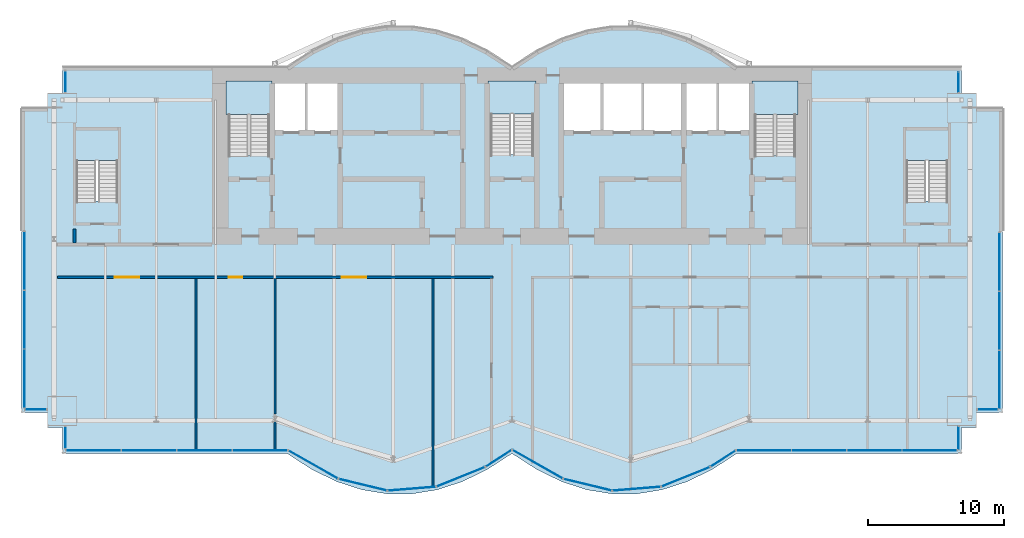
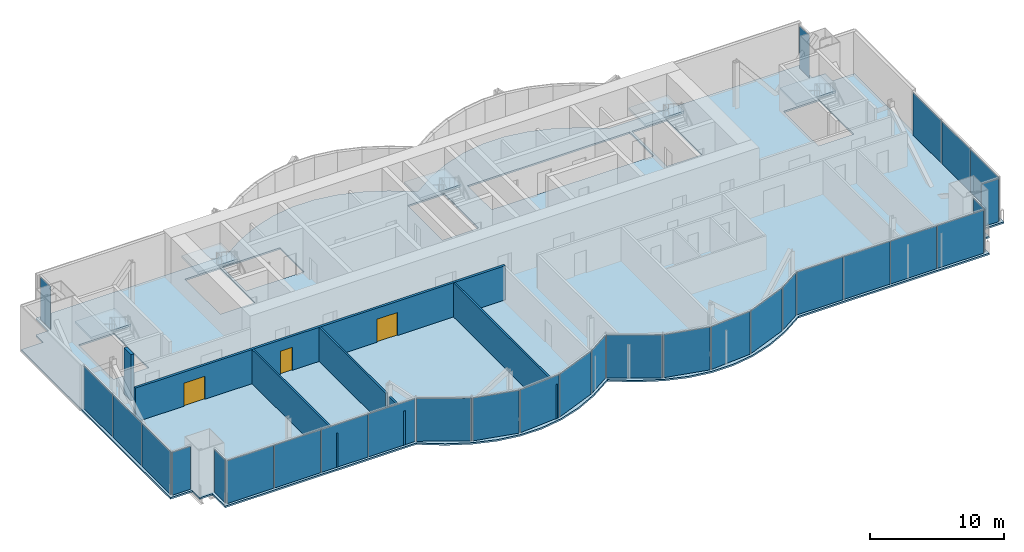
# One storey, part 12 of 19: 30 plates, 6 slabs, 6 walls, 3 doors, 3 openings, 17 elements without a shape of their own.
"""IFC4 building model written with IfcOpenShell, lengths in metres."""

from ifc_helpers import new_model, si_unit, direction, frame, frame_2d, origin, origin_2d, place, context, subcontext, project, spatial, polyline, rectangle, outline, extrude, material, layer, layer_set, type_object, element, fill, aggregate, save


model = new_model("IFC4")

# Units and contexts
model_context = context("Model", 3, precision=1e-05, world=origin(), true_north=direction((0.0, 1.0)))
body_context = subcontext(model_context, "Body", "Model", "MODEL_VIEW")
ifc_project = project(units=[si_unit("LENGTHUNIT", "METRE"), si_unit("AREAUNIT", "SQUARE_METRE"), si_unit("VOLUMEUNIT", "CUBIC_METRE"), si_unit("PLANEANGLEUNIT", "RADIAN"), si_unit("MASSUNIT", "GRAM", prefix="KILO")], contexts=[model_context])

# Site, building, storey
site_placement = place(None, origin())
site = spatial("IfcSite", under=ifc_project, at=site_placement, CompositionType="ELEMENT")
building_placement = place(site_placement, origin())
building = spatial("IfcBuilding", under=site, at=building_placement, Name="Bicima Exchange Tower", CompositionType="ELEMENT")
storey_placement = place(building_placement, frame((0.0, 0.0, 275.0)))
storey = spatial("IfcBuildingStorey", under=building, at=storey_placement, Name="L62", CompositionType="ELEMENT", Elevation=275.0)

# Slab
ifc_material_1 = material(Name="Concrete C40/50", Category="concrete")
ifc_layer_1 = layer(ifc_material_1, 0.14990234375)
ifc_layer_set_1 = layer_set([ifc_layer_1], Name="Concrete C40/50")
slab_type_1 = type_object("IfcSlabType", Name="Composite floor slab 150", PredefinedType="FLOOR", material=ifc_layer_set_1)
slab_1_placement = place(storey_placement, frame((0.0, 0.0, -0.14990234375)))
element("IfcSlab", 1, at=slab_1_placement, inside=storey, type_object=slab_type_1, Name="Floor slab", PredefinedType="FLOOR", context=body_context, shape_type="SweptSolid", body=[
    extrude(outline(polyline([(-36.0, -25.3359375), (-36.0, -3.0), (-34.10009765625, -3.0), (-34.10009765625, -1.89990234375), (-33.0, -1.89990234375), (-33.0, 0.0), (-16.5, 0.0), (-14.666748046875, 1.185302734375), (-12.833251953125, 2.07421875), (-11.0, 2.666748046875), (-9.166748046875, 2.962890625), (-7.333251953125, 2.962890625), (-5.5, 2.666748046875), (-3.666748046875, 2.07421875), (-1.833251953125, 1.185302734375), (0.0, 0.0), (1.833251953125, 1.185302734375), (3.666748046875, 2.07421875), (5.5, 2.666748046875), (7.333251953125, 2.962890625), (9.166748046875, 2.962890625), (11.0, 2.666748046875), (12.833251953125, 2.07421875), (14.666748046875, 1.185302734375), (16.5, 0.0), (33.0, 0.0), (33.0, -1.89990234375), (34.10009765625, -1.89990234375), (34.10009765625, -3.0), (36.0, -3.0), (36.0, -25.3359375), (34.10009765625, -25.3359375), (34.10009765625, -26.43603515625), (33.0, -26.43603515625), (33.0, -28.3359375), (16.5, -28.3359375), (14.666748046875, -29.521240234375), (12.833251953125, -30.41015625), (11.0, -31.002685546875), (9.166748046875, -31.299072265625), (7.333251953125, -31.299072265625), (5.5, -31.002685546875), (3.666748046875, -30.41015625), (1.833251953125, -29.521240234375), (0.0, -28.3359375), (-1.833251953125, -29.521240234375), (-3.666748046875, -30.41015625), (-5.5, -31.002685546875), (-7.333251953125, -31.299072265625), (-9.166748046875, -31.299072265625), (-11.0, -31.002685546875), (-12.833251953125, -30.41015625), (-14.666748046875, -29.521240234375), (-16.5, -28.3359375), (-33.0, -28.3359375), (-33.0, -26.43603515625), (-34.10009765625, -26.43603515625), (-34.10009765625, -25.3359375), (-36.0, -25.3359375)]), holes=[polyline([(-28.925048828125, -9.824951171875), (-28.925048828125, -4.625), (-31.97509765625, -4.625), (-31.97509765625, -9.824951171875), (-28.925048828125, -9.824951171875)]), polyline([(-20.800048828125, -6.449951171875), (-17.800048828125, -6.449951171875), (-17.800048828125, -1.199951171875), (-20.800048828125, -1.199951171875), (-20.800048828125, -6.449951171875)]), polyline([(-1.574951171875, -6.39990234375), (1.574951171875, -6.39990234375), (1.574951171875, -1.199951171875), (-1.574951171875, -1.199951171875), (-1.574951171875, -6.39990234375)]), polyline([(-12.60009765625, -1.199951171875), (-15.10009765625, -1.199951171875), (-17.60009765625, -1.199951171875), (-17.60009765625, -4.800048828125), (-15.10009765625, -4.800048828125), (-12.60009765625, -4.800048828125), (-12.60009765625, -1.199951171875)]), polyline([(3.60009765625, -4.800048828125), (6.60009765625, -4.800048828125), (9.60009765625, -4.800048828125), (12.60009765625, -4.800048828125), (15.10009765625, -4.800048828125), (17.60009765625, -4.800048828125), (17.60009765625, -1.199951171875), (15.10009765625, -1.199951171875), (12.60009765625, -1.199951171875), (9.60009765625, -1.199951171875), (6.60009765625, -1.199951171875), (3.60009765625, -1.199951171875), (3.60009765625, -4.800048828125)]), polyline([(31.97509765625, -9.824951171875), (31.97509765625, -4.625), (28.925048828125, -4.625), (28.925048828125, -9.824951171875), (31.97509765625, -9.824951171875)]), polyline([(17.800048828125, -6.449951171875), (20.800048828125, -6.449951171875), (20.800048828125, -1.199951171875), (17.800048828125, -1.199951171875), (17.800048828125, -6.449951171875)])]), origin(), (0.0, 0.0, 1.0), 0.14990234375),
])

# Curtain wall, plates
ifc_material_2 = material(Name="Anodised bronze aluminium", Category="aluminium")
curtain_wall_type_1 = type_object("IfcCurtainWallType", Name="End face glass wall", PredefinedType="NOTDEFINED", material=ifc_material_2)
curtain_wall_1_placement = place(storey_placement, origin())
curtain_wall_1 = element("IfcCurtainWall", 2, at=curtain_wall_1_placement, inside=storey, type_object=curtain_wall_type_1, Name="End face glass wall L62 run 2", PredefinedType="NOTDEFINED")
ifc_material_3 = material(Name="Bronze tinted glass", Category="glass")
ifc_layer_2 = layer(ifc_material_3, 0.031982421875)
ifc_layer_set_2 = layer_set([ifc_layer_2], Name="Bronze tinted glass")
plate_type_1 = type_object("IfcPlateType", Name="End face glass wall glass panel 32", PredefinedType="CURTAIN_PANEL", material=ifc_layer_set_2)
plate_1_placement = place(storey_placement, frame((-35.77001953125, -14.19091796875, 0.0), z_axis=(0.0, 0.0, 1.0), x_axis=(0.0, -1.0, 0.0)))
plate_1 = element("IfcPlate", 3, at=plate_1_placement, type_object=plate_type_1, Name="End face glass wall panel 1.1", PredefinedType="CURTAIN_PANEL", context=body_context, shape_type="SweptSolid", body=[
    extrude(rectangle(XDim=4.261962890625, YDim=0.031982421875, at=origin_2d()), origin(), (0.0, 0.0, 1.0), 3.909912109375),
])
plate_2_placement = place(storey_placement, frame((-35.77001953125, -22.8349609375, 0.0), z_axis=(0.0, 0.0, 1.0), x_axis=(0.0, -1.0, 0.0)))
plate_2 = element("IfcPlate", 4, at=plate_2_placement, type_object=plate_type_1, Name="End face glass wall panel 3.1", PredefinedType="CURTAIN_PANEL", context=body_context, shape_type="SweptSolid", body=[
    extrude(rectangle(XDim=4.261962890625, YDim=0.031982421875, at=origin_2d()), origin(), (0.0, 0.0, 1.0), 3.909912109375),
])

curtain_wall_2_placement = place(storey_placement, origin())
curtain_wall_2 = element("IfcCurtainWall", 5, at=curtain_wall_2_placement, inside=storey, type_object=curtain_wall_type_1, Name="End face glass wall L62 run 19", PredefinedType="NOTDEFINED")
plate_3_placement = place(storey_placement, frame((35.77001953125, -22.9150390625, 0.0), z_axis=(0.0, 0.0, 1.0), x_axis=(0.0, 1.0, 0.0)))
plate_3 = element("IfcPlate", 6, at=plate_3_placement, type_object=plate_type_1, Name="End face glass wall panel 1.1", PredefinedType="CURTAIN_PANEL", context=body_context, shape_type="SweptSolid", body=[
    extrude(rectangle(XDim=4.261962890625, YDim=0.031982421875, at=origin_2d()), origin(), (0.0, 0.0, 1.0), 3.909912109375),
])
plate_4_placement = place(storey_placement, frame((35.77001953125, -14.27099609375, 0.0), z_axis=(0.0, 0.0, 1.0), x_axis=(0.0, 1.0, 0.0)))
plate_4 = element("IfcPlate", 7, at=plate_4_placement, type_object=plate_type_1, Name="End face glass wall panel 3.1", PredefinedType="CURTAIN_PANEL", context=body_context, shape_type="SweptSolid", body=[
    extrude(rectangle(XDim=4.261962890625, YDim=0.031982421875, at=origin_2d()), origin(), (0.0, 0.0, 1.0), 3.909912109375),
])

# Plate
ifc_material_4 = material(Name="Bronze anodised aluminium", Category="aluminium")
ifc_layer_3 = layer(ifc_material_4, 0.031982421875)
ifc_layer_set_3 = layer_set([ifc_layer_3], Name="Bronze anodised aluminium")
plate_type_2 = type_object("IfcPlateType", Name="End face glass wall spandrel panel 32", PredefinedType="CURTAIN_PANEL", material=ifc_layer_set_3)
plate_5_placement = place(storey_placement, frame((-35.77001953125, -18.512939453125, 0.0), z_axis=(0.0, 0.0, 1.0), x_axis=(0.0, -1.0, 0.0)))
plate_5 = element("IfcPlate", 8, at=plate_5_placement, type_object=plate_type_2, Name="End face spandrel wall panel 2.1", PredefinedType="CURTAIN_PANEL", context=body_context, shape_type="SweptSolid", body=[
    extrude(rectangle(XDim=4.261962890625, YDim=0.031982421875, at=origin_2d()), origin(), (0.0, 0.0, 1.0), 3.909912109375),
])

aggregate(curtain_wall_1, [plate_1, plate_5, plate_2])

plate_6_placement = place(storey_placement, frame((35.77001953125, -18.593017578125, 0.0), z_axis=(0.0, 0.0, 1.0), x_axis=(0.0, 1.0, 0.0)))
plate_6 = element("IfcPlate", 9, at=plate_6_placement, type_object=plate_type_2, Name="End face spandrel wall panel 2.1", PredefinedType="CURTAIN_PANEL", context=body_context, shape_type="SweptSolid", body=[
    extrude(rectangle(XDim=4.261962890625, YDim=0.031982421875, at=origin_2d()), origin(), (0.0, 0.0, 1.0), 3.909912109375),
])

aggregate(curtain_wall_2, [plate_3, plate_6, plate_4])

# Curtain wall, plate
curtain_wall_type_2 = type_object("IfcCurtainWallType", Name="Front glass wall", PredefinedType="NOTDEFINED", material=ifc_material_2)
curtain_wall_3_placement = place(storey_placement, origin())
curtain_wall_3 = element("IfcCurtainWall", 10, at=curtain_wall_3_placement, inside=storey, type_object=curtain_wall_type_2, Name="Front glass wall L62 run 1", PredefinedType="NOTDEFINED")
ifc_layer_4 = layer(ifc_material_3, 0.031982421875)
ifc_layer_set_4 = layer_set([ifc_layer_4], Name="Bronze tinted glass")
plate_type_3 = type_object("IfcPlateType", Name="Front glass wall glass panel 32", PredefinedType="CURTAIN_PANEL", material=ifc_layer_set_4)
plate_7_placement = place(storey_placement, frame((-32.77001953125, -1.06494140625, 0.0), z_axis=(0.0, 0.0, 1.0), x_axis=(0.0, -1.0, 0.0)))
plate_7 = element("IfcPlate", 11, at=plate_7_placement, type_object=plate_type_3, Name="Front glass wall panel 1.1", PredefinedType="CURTAIN_PANEL", context=body_context, shape_type="SweptSolid", body=[
    extrude(rectangle(XDim=1.550048828125, YDim=0.031982421875, at=origin_2d()), origin(), (0.0, 0.0, 1.0), 3.909912109375),
])
aggregate(curtain_wall_3, [plate_7])

curtain_wall_4_placement = place(storey_placement, origin())
curtain_wall_4 = element("IfcCurtainWall", 12, at=curtain_wall_4_placement, inside=storey, type_object=curtain_wall_type_2, Name="Front glass wall L62 run 3", PredefinedType="NOTDEFINED")
plate_8_placement = place(storey_placement, frame((-34.93505859375, -25.10595703125, 0.0), z_axis=(0.0, 0.0, 1.0), x_axis=(1.0, 0.0, 0.0)))
plate_8 = element("IfcPlate", 13, at=plate_8_placement, type_object=plate_type_3, Name="Front glass wall panel 1.1", PredefinedType="CURTAIN_PANEL", context=body_context, shape_type="SweptSolid", body=[
    extrude(rectangle(XDim=1.550048828125, YDim=0.031982421875, at=origin_2d()), origin(), (0.0, 0.0, 1.0), 3.909912109375),
])
aggregate(curtain_wall_4, [plate_8])

curtain_wall_5_placement = place(storey_placement, origin())
curtain_wall_5 = element("IfcCurtainWall", 14, at=curtain_wall_5_placement, inside=storey, type_object=curtain_wall_type_2, Name="Front glass wall L62 run 4", PredefinedType="NOTDEFINED")
plate_9_placement = place(storey_placement, frame((-32.77001953125, -27.169921875, 0.0), z_axis=(0.0, 0.0, 1.0), x_axis=(0.0, -1.0, 0.0)))
plate_9 = element("IfcPlate", 15, at=plate_9_placement, type_object=plate_type_3, Name="Front glass wall panel 1.1", PredefinedType="CURTAIN_PANEL", context=body_context, shape_type="SweptSolid", body=[
    extrude(rectangle(XDim=1.592041015625, YDim=0.031982421875, at=origin_2d()), origin(), (0.0, 0.0, 1.0), 3.909912109375),
])
aggregate(curtain_wall_5, [plate_9])

# Curtain wall, plates
curtain_wall_6_placement = place(storey_placement, origin())
curtain_wall_6 = element("IfcCurtainWall", 16, at=curtain_wall_6_placement, inside=storey, type_object=curtain_wall_type_2, Name="Front glass wall L62 run 5", PredefinedType="NOTDEFINED")
plate_10_placement = place(storey_placement, frame((-30.705322265625, -28.10595703125, 0.0), z_axis=(0.0, 0.0, 1.0), x_axis=(1.0, 0.0, 0.0)))
plate_10 = element("IfcPlate", 17, at=plate_10_placement, type_object=plate_type_3, Name="Front glass wall panel 1.1", PredefinedType="CURTAIN_PANEL", context=body_context, shape_type="SweptSolid", body=[
    extrude(rectangle(XDim=4.009521484375, YDim=0.031982421875, at=origin_2d()), origin(), (0.0, 0.0, 1.0), 3.909912109375),
])
plate_11_placement = place(storey_placement, frame((-18.496826171875, -28.10595703125, 0.0), z_axis=(0.0, 0.0, 1.0), x_axis=(1.0, 0.0, 0.0)))
plate_11 = element("IfcPlate", 18, at=plate_11_placement, type_object=plate_type_3, Name="Front glass wall panel 4.1", PredefinedType="CURTAIN_PANEL", context=body_context, shape_type="SweptSolid", body=[
    extrude(rectangle(XDim=4.009521484375, YDim=0.031982421875, at=origin_2d()), origin(), (0.0, 0.0, 1.0), 3.909912109375),
])

curtain_wall_7_placement = place(storey_placement, origin())
curtain_wall_7 = element("IfcCurtainWall", 19, at=curtain_wall_7_placement, inside=storey, type_object=curtain_wall_type_2, Name="Front glass wall L62 run 6", PredefinedType="NOTDEFINED")
plate_12_placement = place(storey_placement, frame((-14.589599609375, -29.151123046875, 0.0), z_axis=(0.0, 0.0, 1.0), x_axis=(0.869805110681, -0.493395449343, 0.0)))
plate_12 = element("IfcPlate", 20, at=plate_12_placement, type_object=plate_type_3, Name="Front glass wall panel 1.1", PredefinedType="CURTAIN_PANEL", context=body_context, shape_type="SweptSolid", body=[
    extrude(rectangle(XDim=4.1162109375, YDim=0.031982421875, at=origin_2d()), origin(), (0.0, 0.0, 1.0), 3.909912109375),
])
plate_13_placement = place(storey_placement, frame((-3.750244140625, -30.04931640625, 0.0), z_axis=(0.0, 0.0, 1.0), x_axis=(0.92714396679, 0.374705304, 0.0)))
plate_13 = element("IfcPlate", 21, at=plate_13_placement, type_object=plate_type_3, Name="Front glass wall panel 1.1", PredefinedType="CURTAIN_PANEL", context=body_context, shape_type="SweptSolid", body=[
    extrude(rectangle(XDim=3.771240234375, YDim=0.031982421875, at=origin_2d()), origin(), (0.0, 0.0, 1.0), 3.909912109375),
])
plate_14_placement = place(storey_placement, frame((-0.97314453125, -28.691162109375, 0.0), z_axis=(0.0, 0.0, 1.0), x_axis=(0.839798994301, 0.542897457326, 0.0)))
plate_14 = element("IfcPlate", 22, at=plate_14_placement, type_object=plate_type_3, Name="Front glass wall panel 1.1", PredefinedType="CURTAIN_PANEL", context=body_context, shape_type="SweptSolid", body=[
    extrude(rectangle(XDim=2.197509765625, YDim=0.031982421875, at=origin_2d()), origin(), (0.0, 0.0, 1.0), 3.909912109375),
])

curtain_wall_8_placement = place(storey_placement, origin())
curtain_wall_8 = element("IfcCurtainWall", 23, at=curtain_wall_8_placement, inside=storey, type_object=curtain_wall_type_2, Name="Front glass wall L62 run 11", PredefinedType="NOTDEFINED")
plate_15_placement = place(storey_placement, frame((1.876220703125, -29.129150390625, 0.0), z_axis=(0.0, 0.0, 1.0), x_axis=(0.869274147378, -0.494330311331, 0.0)))
plate_15 = element("IfcPlate", 24, at=plate_15_placement, type_object=plate_type_3, Name="Front glass wall panel 1.1", PredefinedType="CURTAIN_PANEL", context=body_context, shape_type="SweptSolid", body=[
    extrude(rectangle(XDim=4.197021484375, YDim=0.031982421875, at=origin_2d()), origin(), (0.0, 0.0, 1.0), 3.909912109375),
])
plate_16_placement = place(storey_placement, frame((5.55224609375, -30.632568359375, 0.0), z_axis=(0.0, 0.0, 1.0), x_axis=(0.971830343553, -0.235681529503, 0.0)))
plate_16 = element("IfcPlate", 25, at=plate_16_placement, type_object=plate_type_3, Name="Front glass wall panel 1.1", PredefinedType="CURTAIN_PANEL", context=body_context, shape_type="SweptSolid", body=[
    extrude(rectangle(XDim=3.583251953125, YDim=0.031982421875, at=origin_2d()), origin(), (0.0, 0.0, 1.0), 3.909912109375),
])
plate_17_placement = place(storey_placement, frame((12.749755859375, -30.04931640625, 0.0), z_axis=(0.0, 0.0, 1.0), x_axis=(0.92714396679, 0.374705304, 0.0)))
plate_17 = element("IfcPlate", 26, at=plate_17_placement, type_object=plate_type_3, Name="Front glass wall panel 1.1", PredefinedType="CURTAIN_PANEL", context=body_context, shape_type="SweptSolid", body=[
    extrude(rectangle(XDim=3.771240234375, YDim=0.031982421875, at=origin_2d()), origin(), (0.0, 0.0, 1.0), 3.909912109375),
])
plate_18_placement = place(storey_placement, frame((15.492919921875, -28.713134765625, 0.0), z_axis=(0.0, 0.0, 1.0), x_axis=(0.839791413941, 0.542909183079, 0.0)))
plate_18 = element("IfcPlate", 27, at=plate_18_placement, type_object=plate_type_3, Name="Front glass wall panel 1.1", PredefinedType="CURTAIN_PANEL", context=body_context, shape_type="SweptSolid", body=[
    extrude(rectangle(XDim=2.11669921875, YDim=0.031982421875, at=origin_2d()), origin(), (0.0, 0.0, 1.0), 3.909912109375),
])

curtain_wall_9_placement = place(storey_placement, origin())
curtain_wall_9 = element("IfcCurtainWall", 28, at=curtain_wall_9_placement, inside=storey, type_object=curtain_wall_type_2, Name="Front glass wall L62 run 16", PredefinedType="NOTDEFINED")
plate_19_placement = place(storey_placement, frame((18.48681640625, -28.10595703125, 0.0), z_axis=(0.0, 0.0, 1.0), x_axis=(1.0, 0.0, 0.0)))
plate_19 = element("IfcPlate", 29, at=plate_19_placement, type_object=plate_type_3, Name="Front glass wall panel 1.1", PredefinedType="CURTAIN_PANEL", context=body_context, shape_type="SweptSolid", body=[
    extrude(rectangle(XDim=3.989501953125, YDim=0.031982421875, at=origin_2d()), origin(), (0.0, 0.0, 1.0), 3.909912109375),
])
plate_20_placement = place(storey_placement, frame((30.63525390625, -28.10595703125, 0.0), z_axis=(0.0, 0.0, 1.0), x_axis=(1.0, 0.0, 0.0)))
plate_20 = element("IfcPlate", 30, at=plate_20_placement, type_object=plate_type_3, Name="Front glass wall panel 4.1", PredefinedType="CURTAIN_PANEL", context=body_context, shape_type="SweptSolid", body=[
    extrude(rectangle(XDim=3.989501953125, YDim=0.031982421875, at=origin_2d()), origin(), (0.0, 0.0, 1.0), 3.909912109375),
])

# Curtain wall, plate
curtain_wall_10_placement = place(storey_placement, origin())
curtain_wall_10 = element("IfcCurtainWall", 31, at=curtain_wall_10_placement, inside=storey, type_object=curtain_wall_type_2, Name="Front glass wall L62 run 17", PredefinedType="NOTDEFINED")
plate_21_placement = place(storey_placement, frame((32.77001953125, -27.2099609375, 0.0), z_axis=(0.0, 0.0, 1.0), x_axis=(0.0, 1.0, 0.0)))
plate_21 = element("IfcPlate", 32, at=plate_21_placement, type_object=plate_type_3, Name="Front glass wall panel 1.1", PredefinedType="CURTAIN_PANEL", context=body_context, shape_type="SweptSolid", body=[
    extrude(rectangle(XDim=1.672119140625, YDim=0.031982421875, at=origin_2d()), origin(), (0.0, 0.0, 1.0), 3.909912109375),
])
aggregate(curtain_wall_10, [plate_21])

curtain_wall_11_placement = place(storey_placement, origin())
curtain_wall_11 = element("IfcCurtainWall", 33, at=curtain_wall_11_placement, inside=storey, type_object=curtain_wall_type_2, Name="Front glass wall L62 run 18", PredefinedType="NOTDEFINED")
plate_22_placement = place(storey_placement, frame((34.89501953125, -25.10595703125, 0.0), z_axis=(0.0, 0.0, 1.0), x_axis=(1.0, 0.0, 0.0)))
plate_22 = element("IfcPlate", 34, at=plate_22_placement, type_object=plate_type_3, Name="Front glass wall panel 1.1", PredefinedType="CURTAIN_PANEL", context=body_context, shape_type="SweptSolid", body=[
    extrude(rectangle(XDim=1.469970703125, YDim=0.031982421875, at=origin_2d()), origin(), (0.0, 0.0, 1.0), 3.909912109375),
])
aggregate(curtain_wall_11, [plate_22])

curtain_wall_12_placement = place(storey_placement, origin())
curtain_wall_12 = element("IfcCurtainWall", 35, at=curtain_wall_12_placement, inside=storey, type_object=curtain_wall_type_2, Name="Front glass wall L62 run 20", PredefinedType="NOTDEFINED")
plate_23_placement = place(storey_placement, frame((32.77001953125, -1.10498046875, 0.0), z_axis=(0.0, 0.0, 1.0), x_axis=(0.0, 1.0, 0.0)))
plate_23 = element("IfcPlate", 36, at=plate_23_placement, type_object=plate_type_3, Name="Front glass wall panel 1.1", PredefinedType="CURTAIN_PANEL", context=body_context, shape_type="SweptSolid", body=[
    extrude(rectangle(XDim=1.469970703125, YDim=0.031982421875, at=origin_2d()), origin(), (0.0, 0.0, 1.0), 3.909912109375),
])
aggregate(curtain_wall_12, [plate_23])

# Plate
ifc_layer_5 = layer(ifc_material_4, 0.031982421875)
ifc_layer_set_5 = layer_set([ifc_layer_5], Name="Bronze anodised aluminium")
plate_type_4 = type_object("IfcPlateType", Name="Front glass wall spandrel panel 32", PredefinedType="CURTAIN_PANEL", material=ifc_layer_set_5)
plate_24_placement = place(storey_placement, frame((-26.6357421875, -28.10595703125, 0.0), z_axis=(0.0, 0.0, 1.0), x_axis=(1.0, 0.0, 0.0)))
plate_24 = element("IfcPlate", 37, at=plate_24_placement, type_object=plate_type_4, Name="Front spandrel wall panel 2.1", PredefinedType="CURTAIN_PANEL", context=body_context, shape_type="SweptSolid", body=[
    extrude(rectangle(XDim=4.009521484375, YDim=0.031982421875, at=origin_2d()), origin(), (0.0, 0.0, 1.0), 3.909912109375),
])

plate_25_placement = place(storey_placement, frame((-22.56640625, -28.10595703125, 0.0), z_axis=(0.0, 0.0, 1.0), x_axis=(1.0, 0.0, 0.0)))
plate_25 = element("IfcPlate", 38, at=plate_25_placement, type_object=plate_type_4, Name="Front spandrel wall panel 3.1", PredefinedType="CURTAIN_PANEL", context=body_context, shape_type="SweptSolid", body=[
    extrude(rectangle(XDim=4.009521484375, YDim=0.031982421875, at=origin_2d()), origin(), (0.0, 0.0, 1.0), 3.909912109375),
])

aggregate(curtain_wall_6, [plate_10, plate_24, plate_25, plate_11])

plate_26_placement = place(storey_placement, frame((-10.94775390625, -30.632568359375, 0.0), z_axis=(0.0, 0.0, 1.0), x_axis=(0.971830343553, -0.235681529503, 0.0)))
plate_26 = element("IfcPlate", 39, at=plate_26_placement, type_object=plate_type_4, Name="Front spandrel wall panel 1.1", PredefinedType="CURTAIN_PANEL", context=body_context, shape_type="SweptSolid", body=[
    extrude(rectangle(XDim=3.583251953125, YDim=0.031982421875, at=origin_2d()), origin(), (0.0, 0.0, 1.0), 3.909912109375),
])

plate_27_placement = place(storey_placement, frame((-7.35107421875, -30.923583984375, 0.0), z_axis=(0.0, 0.0, 1.0), x_axis=(0.99674744821, 0.080588612633, 0.0)))
plate_27 = element("IfcPlate", 40, at=plate_27_placement, type_object=plate_type_4, Name="Front spandrel wall panel 1.1", PredefinedType="CURTAIN_PANEL", context=body_context, shape_type="SweptSolid", body=[
    extrude(rectangle(XDim=3.486083984375, YDim=0.031982421875, at=origin_2d()), origin(), (0.0, 0.0, 1.0), 3.909912109375),
])

aggregate(curtain_wall_7, [plate_12, plate_26, plate_27, plate_13, plate_14])

plate_28_placement = place(storey_placement, frame((9.14892578125, -30.923583984375, 0.0), z_axis=(0.0, 0.0, 1.0), x_axis=(0.99674744821, 0.080588612633, 0.0)))
plate_28 = element("IfcPlate", 41, at=plate_28_placement, type_object=plate_type_4, Name="Front spandrel wall panel 1.1", PredefinedType="CURTAIN_PANEL", context=body_context, shape_type="SweptSolid", body=[
    extrude(rectangle(XDim=3.486083984375, YDim=0.031982421875, at=origin_2d()), origin(), (0.0, 0.0, 1.0), 3.909912109375),
])

aggregate(curtain_wall_8, [plate_15, plate_16, plate_28, plate_17, plate_18])

plate_29_placement = place(storey_placement, frame((22.536376953125, -28.10595703125, 0.0), z_axis=(0.0, 0.0, 1.0), x_axis=(1.0, 0.0, 0.0)))
plate_29 = element("IfcPlate", 42, at=plate_29_placement, type_object=plate_type_4, Name="Front spandrel wall panel 2.1", PredefinedType="CURTAIN_PANEL", context=body_context, shape_type="SweptSolid", body=[
    extrude(rectangle(XDim=3.989501953125, YDim=0.031982421875, at=origin_2d()), origin(), (0.0, 0.0, 1.0), 3.909912109375),
])

plate_30_placement = place(storey_placement, frame((26.585693359375, -28.10595703125, 0.0), z_axis=(0.0, 0.0, 1.0), x_axis=(1.0, 0.0, 0.0)))
plate_30 = element("IfcPlate", 43, at=plate_30_placement, type_object=plate_type_4, Name="Front spandrel wall panel 3.1", PredefinedType="CURTAIN_PANEL", context=body_context, shape_type="SweptSolid", body=[
    extrude(rectangle(XDim=3.989501953125, YDim=0.031982421875, at=origin_2d()), origin(), (0.0, 0.0, 1.0), 3.909912109375),
])

aggregate(curtain_wall_9, [plate_19, plate_29, plate_30, plate_20])

# Stair, slab
ifc_material_5 = material(Name="Concrete C50/60", Category="concrete")
stair_type_1 = type_object("IfcStairType", Name="Exit stair", PredefinedType="HALF_TURN_STAIR", material=ifc_material_5)
stair_1_placement = place(storey_placement, origin())
stair_1 = element("IfcStair", 44, at=stair_1_placement, inside=storey, type_object=stair_type_1, Name="L62 West exit stair", PredefinedType="HALF_TURN_STAIR")
ifc_layer_6 = layer(ifc_material_5, 0.199951171875)
ifc_layer_set_6 = layer_set([ifc_layer_6], Name="Concrete C50/60")
slab_type_2 = type_object("IfcSlabType", Name="Stair landing slab", PredefinedType="LANDING", material=ifc_layer_set_6)
slab_2_placement = place(storey_placement, frame((0.0, 0.0, 1.89990234375)))
slab_2 = element("IfcSlab", 45, at=slab_2_placement, type_object=slab_type_2, Name="ST-W landing 1", PredefinedType="LANDING", context=body_context, shape_type="SweptSolid", body=[
    extrude(outline(polyline([(-17.60009765625, -3.469970703125), (-17.60009765625, -1.0), (-21.0, -1.0), (-21.0, -3.469970703125), (-17.60009765625, -3.469970703125)])), origin(), (0.0, 0.0, 1.0), 0.2001953125),
])
aggregate(stair_1, [slab_2])

stair_type_2 = type_object("IfcStairType", Name="Exit stair 1500", PredefinedType="HALF_TURN_STAIR", material=ifc_material_5)
stair_2_placement = place(storey_placement, origin())
stair_2 = element("IfcStair", 46, at=stair_2_placement, inside=storey, type_object=stair_type_2, Name="L62 Central exit stair", PredefinedType="HALF_TURN_STAIR")
slab_3_placement = place(storey_placement, frame((0.0, 0.0, 1.89990234375)))
slab_3 = element("IfcSlab", 47, at=slab_3_placement, type_object=slab_type_2, Name="ST-C landing 1", PredefinedType="LANDING", context=body_context, shape_type="SweptSolid", body=[
    extrude(outline(polyline([(1.77490234375, -3.419921875), (1.77490234375, -1.0), (-1.77490234375, -1.0), (-1.77490234375, -3.419921875), (1.77490234375, -3.419921875)])), origin(), (0.0, 0.0, 1.0), 0.2001953125),
])
aggregate(stair_2, [slab_3])

stair_3_placement = place(storey_placement, origin())
stair_3 = element("IfcStair", 48, at=stair_3_placement, inside=storey, type_object=stair_type_1, Name="L62 East exit stair", PredefinedType="HALF_TURN_STAIR")
slab_4_placement = place(storey_placement, frame((0.0, 0.0, 1.89990234375)))
slab_4 = element("IfcSlab", 49, at=slab_4_placement, type_object=slab_type_2, Name="ST-E landing 1", PredefinedType="LANDING", context=body_context, shape_type="SweptSolid", body=[
    extrude(outline(polyline([(21.0, -3.469970703125), (21.0, -1.0), (17.60009765625, -1.0), (17.60009765625, -3.469970703125), (21.0, -3.469970703125)])), origin(), (0.0, 0.0, 1.0), 0.2001953125),
])
aggregate(stair_3, [slab_4])

stair_4_placement = place(storey_placement, origin())
stair_4 = element("IfcStair", 50, at=stair_4_placement, inside=storey, type_object=stair_type_1, Name="L62 West end exit stair", PredefinedType="HALF_TURN_STAIR")
slab_5_placement = place(storey_placement, frame((0.0, 0.0, 1.89990234375)))
slab_5 = element("IfcSlab", 51, at=slab_5_placement, type_object=slab_type_2, Name="ST-WW landing 1", PredefinedType="LANDING", context=body_context, shape_type="SweptSolid", body=[
    extrude(outline(polyline([(-28.72509765625, -6.844970703125), (-28.72509765625, -4.425048828125), (-32.175048828125, -4.425048828125), (-32.175048828125, -6.844970703125), (-28.72509765625, -6.844970703125)])), origin(), (0.0, 0.0, 1.0), 0.2001953125),
])
aggregate(stair_4, [slab_5])

stair_5_placement = place(storey_placement, origin())
stair_5 = element("IfcStair", 52, at=stair_5_placement, inside=storey, type_object=stair_type_1, Name="L62 East end exit stair", PredefinedType="HALF_TURN_STAIR")
slab_6_placement = place(storey_placement, frame((0.0, 0.0, 1.89990234375)))
slab_6 = element("IfcSlab", 53, at=slab_6_placement, type_object=slab_type_2, Name="ST-EE landing 1", PredefinedType="LANDING", context=body_context, shape_type="SweptSolid", body=[
    extrude(outline(polyline([(32.175048828125, -6.844970703125), (32.175048828125, -4.425048828125), (28.72509765625, -4.425048828125), (28.72509765625, -6.844970703125), (32.175048828125, -6.844970703125)])), origin(), (0.0, 0.0, 1.0), 0.2001953125),
])
aggregate(stair_5, [slab_6])

# Wall, openings, doors
ifc_material_6 = material(Name="Gypsum board partition")
ifc_layer_7 = layer(ifc_material_6, 0.199951171875)
ifc_layer_set_7 = layer_set([ifc_layer_7], Name="Gypsum board partition")
wall_type_1 = type_object("IfcWallType", Name="Fire-rated gypsum partition 200 EI60", PredefinedType="PARTITIONING", material=ifc_layer_set_7)
wall_1_placement = place(storey_placement, frame((-33.340087890625, -15.39990234375, 0.0), z_axis=(0.0, 0.0, 1.0), x_axis=(1.0, 0.0, 0.0)))
wall_1 = element("IfcWall", 54, at=wall_1_placement, inside=storey, type_object=wall_type_1, Name="partition wall 3", PredefinedType="PARTITIONING", context=body_context, shape_type="SweptSolid", body=[
    extrude(rectangle(XDim=31.940185546875, YDim=0.199951171875, at=frame_2d((15.97021484375, 0.0))), origin(), (0.0, 0.0, 1.0), 3.1181640625),
])
opening_1_placement = place(wall_1_placement, frame((4.199951171875, 0.0, 0.0)))
opening_1 = element("IfcOpeningElement", 55, at=opening_1_placement, cuts=wall_1, Name="Opening L62-007", PredefinedType="OPENING", context=body_context, shape_type="SweptSolid", body=[
    extrude(rectangle(XDim=1.800048828125, YDim=2.10009765625, at=frame_2d((0.89990234375, 1.050048828125))), frame((0.0, 0.11181640625, 0.0), z_axis=(0.0, -1.0, 0.0), x_axis=(1.0, 0.0, 0.0)), (0.0, 0.0, 1.0), 0.223876953125),
])
opening_2_placement = place(wall_1_placement, frame((12.5400390625, 0.0, 0.0)))
opening_2 = element("IfcOpeningElement", 56, at=opening_2_placement, cuts=wall_1, Name="Opening L62-008", PredefinedType="OPENING", context=body_context, shape_type="SweptSolid", body=[
    extrude(rectangle(XDim=1.0, YDim=2.10009765625, at=frame_2d((0.5, 1.050048828125))), frame((0.0, 0.11181640625, 0.0), z_axis=(0.0, -1.0, 0.0), x_axis=(1.0, 0.0, 0.0)), (0.0, 0.0, 1.0), 0.223876953125),
])
opening_3_placement = place(wall_1_placement, frame((20.840087890625, 0.0, 0.0)))
opening_3 = element("IfcOpeningElement", 57, at=opening_3_placement, cuts=wall_1, Name="Opening L62-009", PredefinedType="OPENING", context=body_context, shape_type="SweptSolid", body=[
    extrude(rectangle(XDim=1.800048828125, YDim=2.10009765625, at=frame_2d((0.89990234375, 1.050048828125))), frame((0.0, 0.11181640625, 0.0), z_axis=(0.0, -1.0, 0.0), x_axis=(1.0, 0.0, 0.0)), (0.0, 0.0, 1.0), 0.223876953125),
])
ifc_material_7 = material(Name="Steel fire door leaf", Category="steel")
door_type_1 = type_object("IfcDoorType", Name="Door 1000 swing FD30S", OperationType="SINGLE_SWING_LEFT", PredefinedType="DOOR", material=ifc_material_7)
door_1_placement = place(opening_2_placement, frame((1.0, 0.0, 0.0), z_axis=(0.0, 0.0, 1.0), x_axis=(-1.0, 0.0, 0.0)))
door_1 = element("IfcDoor", 58, at=door_1_placement, inside=storey, type_object=door_type_1, Name="Door", OperationType="SINGLE_SWING_RIGHT", OverallHeight=2.10009765625, OverallWidth=1.0, PredefinedType="DOOR", context=body_context, shape_type="SweptSolid", body=[
    extrude(rectangle(XDim=1.0, YDim=2.10009765625, at=frame_2d((0.5, 1.050048828125))), frame((0.0, 0.02490234375, 0.0), z_axis=(0.0, -1.0, 0.0), x_axis=(1.0, 0.0, 0.0)), (0.0, 0.0, 1.0), 0.050048828125),
])
fill(opening_2, door_1)
door_type_2 = type_object("IfcDoorType", Name="Door 1800 double swing FD30S", OperationType="DOUBLE_DOOR_SINGLE_SWING", PredefinedType="DOOR", material=ifc_material_7)
door_2_placement = place(opening_1_placement, origin())
door_2 = element("IfcDoor", 59, at=door_2_placement, inside=storey, type_object=door_type_2, Name="Door", OperationType="SINGLE_SWING_LEFT", OverallHeight=2.10009765625, OverallWidth=1.800048828125, PredefinedType="DOOR", context=body_context, shape_type="SweptSolid", body=[
    extrude(rectangle(XDim=1.800048828125, YDim=2.10009765625, at=frame_2d((0.89990234375, 1.050048828125))), frame((0.0, 0.02490234375, 0.0), z_axis=(0.0, -1.0, 0.0), x_axis=(1.0, 0.0, 0.0)), (0.0, 0.0, 1.0), 0.050048828125),
])
fill(opening_1, door_2)
door_3_placement = place(opening_3_placement, origin())
door_3 = element("IfcDoor", 60, at=door_3_placement, inside=storey, type_object=door_type_2, Name="Door", OperationType="SINGLE_SWING_LEFT", OverallHeight=2.10009765625, OverallWidth=1.800048828125, PredefinedType="DOOR", context=body_context, shape_type="SweptSolid", body=[
    extrude(rectangle(XDim=1.800048828125, YDim=2.10009765625, at=frame_2d((0.89990234375, 1.050048828125))), frame((0.0, 0.02490234375, 0.0), z_axis=(0.0, -1.0, 0.0), x_axis=(1.0, 0.0, 0.0)), (0.0, 0.0, 1.0), 0.050048828125),
])
fill(opening_3, door_3)

# Walls
ifc_layer_8 = layer(ifc_material_6, 0.14990234375)
ifc_layer_set_8 = layer_set([ifc_layer_8], Name="Gypsum board partition")
wall_type_2 = type_object("IfcWallType", Name="Gypsum partition 150", PredefinedType="PARTITIONING", material=ifc_layer_set_8)
wall_2_placement = place(storey_placement, frame((-23.199951171875, -28.1298828125, 0.0), z_axis=(0.0, 0.0, 1.0), x_axis=(0.0, 1.0, 0.0)))
element("IfcWall", 61, at=wall_2_placement, inside=storey, type_object=wall_type_2, Name="partition wall 13", PredefinedType="PARTITIONING", context=body_context, shape_type="SweptSolid", body=[
    extrude(rectangle(XDim=12.6298828125, YDim=0.14990234375, at=frame_2d((6.31494140625, 0.0))), origin(), (0.0, 0.0, 1.0), 3.1181640625),
])
wall_3_placement = place(storey_placement, frame((-17.39990234375, -28.1298828125, 0.0), z_axis=(0.0, 0.0, 1.0), x_axis=(0.0, 1.0, 0.0)))
element("IfcWall", 62, at=wall_3_placement, inside=storey, type_object=wall_type_2, Name="partition wall 14", PredefinedType="PARTITIONING", context=body_context, shape_type="SweptSolid", body=[
    extrude(rectangle(XDim=2.194091796875, YDim=0.14990234375, at=frame_2d((1.09716796875, 0.0))), origin(), (0.0, 0.0, 1.0), 3.1181640625),
])
wall_4_placement = place(storey_placement, frame((-17.39990234375, -25.447998046875, 0.0), z_axis=(0.0, 0.0, 1.0), x_axis=(0.0, 1.0, 0.0)))
element("IfcWall", 63, at=wall_4_placement, inside=storey, type_object=wall_type_2, Name="partition wall 15", PredefinedType="PARTITIONING", context=body_context, shape_type="SweptSolid", body=[
    extrude(rectangle(XDim=9.947998046875, YDim=0.14990234375, at=frame_2d((4.97412109375, 0.0))), origin(), (0.0, 0.0, 1.0), 3.1181640625),
])
wall_5_placement = place(storey_placement, frame((-5.800048828125, -30.840087890625, 0.0), z_axis=(0.0, 0.0, 1.0), x_axis=(0.0, 1.0, 0.0)))
element("IfcWall", 64, at=wall_5_placement, inside=storey, type_object=wall_type_2, Name="partition wall 16", PredefinedType="PARTITIONING", context=body_context, shape_type="SweptSolid", body=[
    extrude(rectangle(XDim=15.340087890625, YDim=0.14990234375, at=frame_2d((7.669921875, 0.0))), origin(), (0.0, 0.0, 1.0), 3.1181640625),
])
ifc_layer_9 = layer(ifc_material_5, 0.25)
ifc_layer_set_9 = layer_set([ifc_layer_9], Name="Concrete C50/60")
wall_type_3 = type_object("IfcWallType", Name="RC core wall 250 C50/60", PredefinedType="SHEAR", material=ifc_layer_set_9)
wall_6_placement = place(storey_placement, frame((-32.10009765625, -12.89990234375, 0.0), z_axis=(0.0, 0.0, 1.0), x_axis=(0.0, 1.0, 0.0)))
element("IfcWall", 65, at=wall_6_placement, inside=storey, type_object=wall_type_3, Name="stair wall 11", PredefinedType="SHEAR", context=body_context, shape_type="SweptSolid", body=[
    extrude(rectangle(XDim=1.0498046875, YDim=0.25, at=frame_2d((0.52490234375, 0.0))), origin(), (0.0, 0.0, 1.0), 4.199951171875),
])

save(model, "model.ifc")
